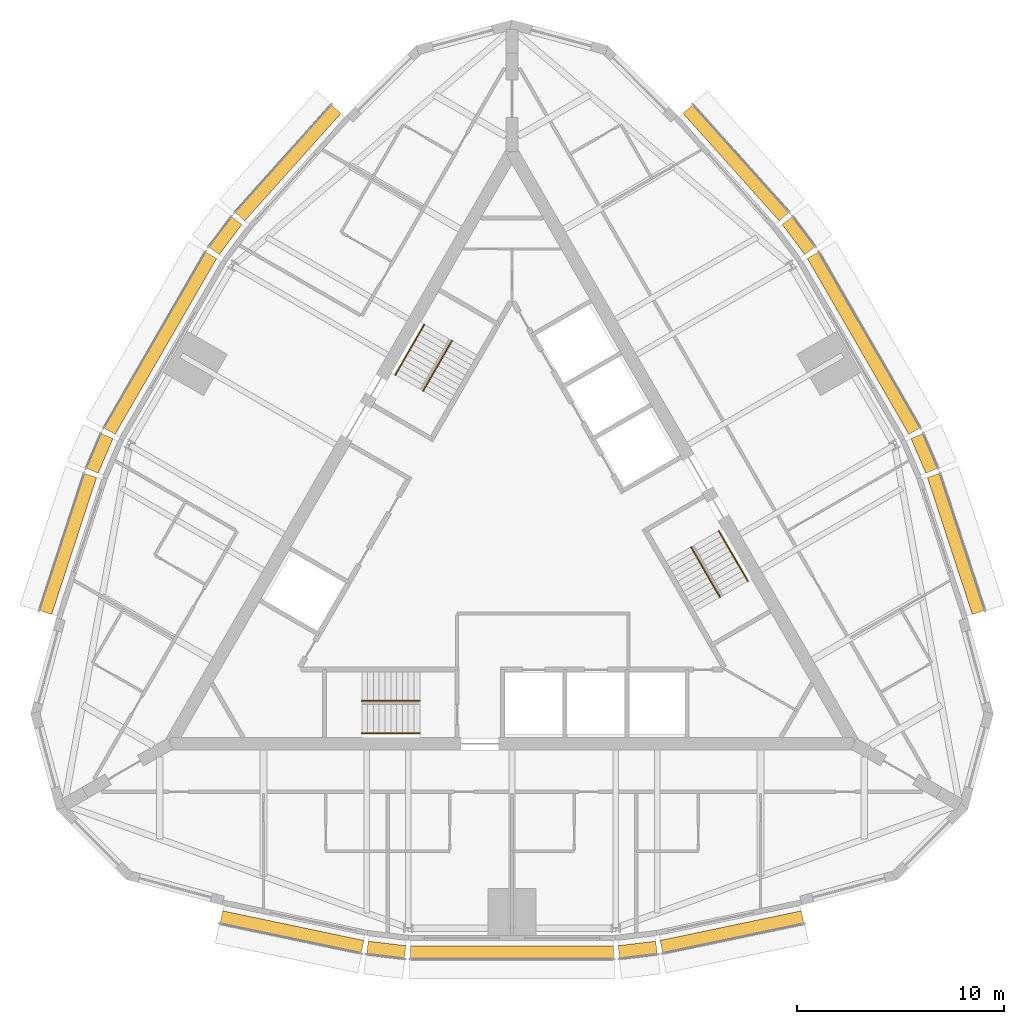
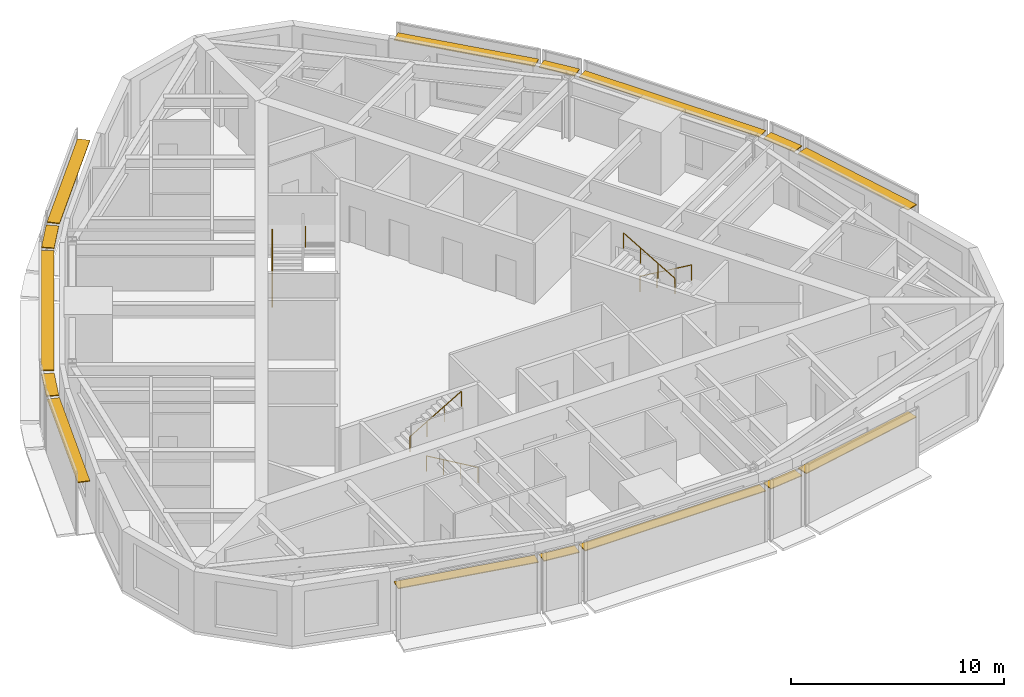
# One storey, part 12 of 12: 15 shading devices, 6 railings.
"""IFC4 building model written with IfcOpenShell, lengths in metres."""

from ifc_helpers import new_model, si_unit, direction, frame, origin, origin_2d, place, context, subcontext, project, spatial, rectangle, circle, extrude, material, type_object, element, save


model = new_model("IFC4")

# Units and contexts
model_context = context("Model", 3, precision=1e-05, world=origin(), true_north=direction((0.0, 1.0)))
body_context = subcontext(model_context, "Body", "Model", "MODEL_VIEW")
ifc_project = project(units=[si_unit("LENGTHUNIT", "METRE"), si_unit("AREAUNIT", "SQUARE_METRE"), si_unit("VOLUMEUNIT", "CUBIC_METRE"), si_unit("PLANEANGLEUNIT", "RADIAN"), si_unit("MASSUNIT", "GRAM", prefix="KILO")], contexts=[model_context])

# Site, building, storey
site_placement = place(None, origin())
site = spatial("IfcSite", under=ifc_project, at=site_placement, CompositionType="ELEMENT")
building_placement = place(site_placement, origin())
building = spatial("IfcBuilding", under=site, at=building_placement, Name="Trikona Tower", CompositionType="ELEMENT")
storey_placement = place(building_placement, frame((0.0, 0.0, 268.10009765625)))
storey = spatial("IfcBuildingStorey", under=building, at=storey_placement, Name="L71", CompositionType="ELEMENT", Elevation=268.10009765625)

# Shading devices
ifc_material_1 = material(Name="Aluminium louvre blade, pale anodised", Category="aluminium")
shading_device_type = type_object("IfcShadingDeviceType", Name="Cavity louvre 600", PredefinedType="USERDEFINED", material=ifc_material_1)
shading_device_1_placement = place(storey_placement, frame((-10.6162109375, -18.6083984375, 2.97509765625), z_axis=(0.0, 0.0, 1.0), x_axis=(0.97865342171, -0.205517590916, 0.0)))
element("IfcShadingDevice", 1, at=shading_device_1_placement, inside=storey, type_object=shading_device_type, Name="Cavity louvre L71-00", ObjectType="LOUVRE", PredefinedType="USERDEFINED", context=body_context, shape_type="SweptSolid", body=[
    extrude(rectangle(XDim=6.962646484375, YDim=0.60009765625, at=origin_2d()), origin(), (0.0, 0.0, 1.0), 0.050048828125),
])
shading_device_2_placement = place(storey_placement, frame((-6.0673828125, -19.471435546875, 2.97509765625), z_axis=(0.0, 0.0, 1.0), x_axis=(0.992876783199, -0.11914568135, 0.0)))
element("IfcShadingDevice", 2, at=shading_device_2_placement, inside=storey, type_object=shading_device_type, Name="Cavity louvre L71-01", ObjectType="LOUVRE", PredefinedType="USERDEFINED", context=body_context, shape_type="SweptSolid", body=[
    extrude(rectangle(XDim=1.82421875, YDim=0.60009765625, at=origin_2d()), origin(), (0.0, 0.0, 1.0), 0.050048828125),
])
shading_device_3_placement = place(storey_placement, frame((0.0, -19.595458984375, 2.97509765625), z_axis=(0.0, 0.0, 1.0), x_axis=(1.0, 0.0, 0.0)))
element("IfcShadingDevice", 3, at=shading_device_3_placement, inside=storey, type_object=shading_device_type, Name="Cavity louvre L71-02", ObjectType="LOUVRE", PredefinedType="USERDEFINED", context=body_context, shape_type="SweptSolid", body=[
    extrude(rectangle(XDim=9.81005859375, YDim=0.60009765625, at=origin_2d()), origin(), (0.0, 0.0, 1.0), 0.050048828125),
])
shading_device_4_placement = place(storey_placement, frame((6.0673828125, -19.471435546875, 2.97509765625), z_axis=(0.0, 0.0, 1.0), x_axis=(0.992876783199, 0.11914568135, 0.0)))
element("IfcShadingDevice", 4, at=shading_device_4_placement, inside=storey, type_object=shading_device_type, Name="Cavity louvre L71-03", ObjectType="LOUVRE", PredefinedType="USERDEFINED", context=body_context, shape_type="SweptSolid", body=[
    extrude(rectangle(XDim=1.82421875, YDim=0.60009765625, at=origin_2d()), origin(), (0.0, 0.0, 1.0), 0.050048828125),
])
for number, where, z_axis, x_axis, name in (
    (5, (10.6162109375, -18.6083984375, 2.97509765625), (0.0, 0.0, 1.0), (0.97865342171, 0.205517590916, 0.0), "Cavity louvre L71-04"),
    (6, (21.423583984375, 0.1103515625, 2.97509765625), (0.0, 0.0, 1.0), (-0.311336621861, 0.950299693722, 0.0), "Cavity louvre L71-09"),
):
    element("IfcShadingDevice", number, at=place(storey_placement, frame(where, z_axis=z_axis, x_axis=x_axis)), inside=storey, type_object=shading_device_type, Name=name, ObjectType="LOUVRE", PredefinedType="USERDEFINED", context=body_context, shape_type="SweptSolid", body=[
        extrude(rectangle(XDim=6.962646484375, YDim=0.60009765625, at=origin_2d()), origin(), (0.0, 0.0, 1.0), 0.050048828125),
    ])
shading_device_5_placement = place(storey_placement, frame((19.896484375, 4.481201171875, 2.97509765625), z_axis=(0.0, 0.0, 1.0), x_axis=(-0.39328408933, 0.919417002823, 0.0)))
element("IfcShadingDevice", 7, at=shading_device_5_placement, inside=storey, type_object=shading_device_type, Name="Cavity louvre L71-10", ObjectType="LOUVRE", PredefinedType="USERDEFINED", context=body_context, shape_type="SweptSolid", body=[
    extrude(rectangle(XDim=1.82421875, YDim=0.60009765625, at=origin_2d()), origin(), (0.0, 0.0, 1.0), 0.050048828125),
])
shading_device_6_placement = place(storey_placement, frame((16.97021484375, 9.797607421875, 2.97509765625), z_axis=(0.0, 0.0, 1.0), x_axis=(-0.4999984885, 0.866026276448, 0.0)))
element("IfcShadingDevice", 8, at=shading_device_6_placement, inside=storey, type_object=shading_device_type, Name="Cavity louvre L71-11", ObjectType="LOUVRE", PredefinedType="USERDEFINED", context=body_context, shape_type="SweptSolid", body=[
    extrude(rectangle(XDim=9.81005859375, YDim=0.60009765625, at=origin_2d()), origin(), (0.0, 0.0, 1.0), 0.050048828125),
])
shading_device_7_placement = place(storey_placement, frame((13.8291015625, 14.990234375, 2.97509765625), z_axis=(0.0, 0.0, 1.0), x_axis=(-0.599618784879, 0.800285769472, 0.0)))
element("IfcShadingDevice", 9, at=shading_device_7_placement, inside=storey, type_object=shading_device_type, Name="Cavity louvre L71-12", ObjectType="LOUVRE", PredefinedType="USERDEFINED", context=body_context, shape_type="SweptSolid", body=[
    extrude(rectangle(XDim=1.82421875, YDim=0.60009765625, at=origin_2d()), origin(), (0.0, 0.0, 1.0), 0.050048828125),
])
for number, where, z_axis, x_axis, name in (
    (10, (10.807373046875, 18.498046875, 2.97509765625), (0.0, 0.0, 1.0), (-0.667311465398, 0.744778764566, 0.0), "Cavity louvre L71-13"),
    (11, (-10.807373046875, 18.498046875, 2.97509765625), (0.0, 0.0, 1.0), (-0.667311465398, -0.744778764566, 0.0), "Cavity louvre L71-18"),
):
    element("IfcShadingDevice", number, at=place(storey_placement, frame(where, z_axis=z_axis, x_axis=x_axis)), inside=storey, type_object=shading_device_type, Name=name, ObjectType="LOUVRE", PredefinedType="USERDEFINED", context=body_context, shape_type="SweptSolid", body=[
        extrude(rectangle(XDim=6.962646484375, YDim=0.60009765625, at=origin_2d()), origin(), (0.0, 0.0, 1.0), 0.050048828125),
    ])
shading_device_8_placement = place(storey_placement, frame((-13.8291015625, 14.990234375, 2.97509765625), z_axis=(0.0, 0.0, 1.0), x_axis=(-0.599618784879, -0.800285769472, 0.0)))
element("IfcShadingDevice", 12, at=shading_device_8_placement, inside=storey, type_object=shading_device_type, Name="Cavity louvre L71-19", ObjectType="LOUVRE", PredefinedType="USERDEFINED", context=body_context, shape_type="SweptSolid", body=[
    extrude(rectangle(XDim=1.82421875, YDim=0.60009765625, at=origin_2d()), origin(), (0.0, 0.0, 1.0), 0.050048828125),
])
shading_device_9_placement = place(storey_placement, frame((-16.97021484375, 9.797607421875, 2.97509765625), z_axis=(0.0, 0.0, 1.0), x_axis=(-0.4999984885, -0.866026276448, 0.0)))
element("IfcShadingDevice", 13, at=shading_device_9_placement, inside=storey, type_object=shading_device_type, Name="Cavity louvre L71-20", ObjectType="LOUVRE", PredefinedType="USERDEFINED", context=body_context, shape_type="SweptSolid", body=[
    extrude(rectangle(XDim=9.81005859375, YDim=0.60009765625, at=origin_2d()), origin(), (0.0, 0.0, 1.0), 0.050048828125),
])
shading_device_10_placement = place(storey_placement, frame((-19.896484375, 4.481201171875, 2.97509765625), z_axis=(0.0, 0.0, 1.0), x_axis=(-0.39328408933, -0.919417002823, 0.0)))
element("IfcShadingDevice", 14, at=shading_device_10_placement, inside=storey, type_object=shading_device_type, Name="Cavity louvre L71-21", ObjectType="LOUVRE", PredefinedType="USERDEFINED", context=body_context, shape_type="SweptSolid", body=[
    extrude(rectangle(XDim=1.82421875, YDim=0.60009765625, at=origin_2d()), origin(), (0.0, 0.0, 1.0), 0.050048828125),
])
shading_device_11_placement = place(storey_placement, frame((-21.423583984375, 0.1103515625, 2.97509765625), z_axis=(0.0, 0.0, 1.0), x_axis=(-0.311336621861, -0.950299693722, 0.0)))
element("IfcShadingDevice", 15, at=shading_device_11_placement, inside=storey, type_object=shading_device_type, Name="Cavity louvre L71-22", ObjectType="LOUVRE", PredefinedType="USERDEFINED", context=body_context, shape_type="SweptSolid", body=[
    extrude(rectangle(XDim=6.962646484375, YDim=0.60009765625, at=origin_2d()), origin(), (0.0, 0.0, 1.0), 0.050048828125),
])

# Railings
ifc_material_2 = material(Name="Stainless steel handrail", Category="steel")
railing_type = type_object("IfcRailingType", Name="Stair handrail", PredefinedType="HANDRAIL", material=ifc_material_2)
railing_1_placement = place(storey_placement, frame((-4.449951171875, -9.016357421875, 0.16357421875)))
element("IfcRailing", 16, at=railing_1_placement, inside=storey, type_object=railing_type, Name="Stair handrail A L71 1", PredefinedType="HANDRAIL", context=body_context, shape_type="SweptSolid", body=[
    extrude(circle(Radius=0.02392578125, at=origin_2d()), frame((0.0, 0.0, 0.8759765625), z_axis=(-0.863393664356, 0.0, 0.504530851732), x_axis=(0.0, -1.0, 0.0)), (0.0, 0.0, 1.0), 3.2431640625),
    extrude(circle(Radius=0.02099609375, at=origin_2d()), origin(), (0.0, 0.0, 1.0), 0.851806640625),
    extrude(circle(Radius=0.02099609375, at=origin_2d()), frame((-0.933349609375, 0.0, 0.54541015625)), (0.0, 0.0, 1.0), 0.851806640625),
    extrude(circle(Radius=0.02099609375, at=origin_2d()), frame((-1.86669921875, 0.0, 1.0908203125)), (0.0, 0.0, 1.0), 0.851806640625),
    extrude(circle(Radius=0.02099609375, at=origin_2d()), frame((-2.800048828125, 0.0, 1.63623046875)), (0.0, 0.0, 1.0), 0.851806640625),
])
railing_2_placement = place(storey_placement, frame((-7.25, -7.46630859375, 1.963623046875)))
element("IfcRailing", 17, at=railing_2_placement, inside=storey, type_object=railing_type, Name="Stair handrail A L71 2", PredefinedType="HANDRAIL", context=body_context, shape_type="SweptSolid", body=[
    extrude(circle(Radius=0.02392578125, at=origin_2d()), frame((0.0, 0.0, 0.8759765625), z_axis=(0.863393664356, 0.0, 0.504530851732), x_axis=(0.0, 1.0, 0.0)), (0.0, 0.0, 1.0), 3.2431640625),
    extrude(circle(Radius=0.02099609375, at=origin_2d()), origin(), (0.0, 0.0, 1.0), 0.851806640625),
    extrude(circle(Radius=0.02099609375, at=origin_2d()), frame((0.933349609375, 0.0, 0.54541015625)), (0.0, 0.0, 1.0), 0.851806640625),
    extrude(circle(Radius=0.02099609375, at=origin_2d()), frame((1.86669921875, 0.0, 1.0908203125)), (0.0, 0.0, 1.0), 0.851806640625),
    extrude(circle(Radius=0.02099609375, at=origin_2d()), frame((2.800048828125, 0.0, 1.63623046875)), (0.0, 0.0, 1.0), 0.851806640625),
])
railing_3_placement = place(storey_placement, frame((9.9833984375, 0.740966796875, 0.16357421875)))
element("IfcRailing", 18, at=railing_3_placement, inside=storey, type_object=railing_type, Name="Stair handrail B L71 1", PredefinedType="HANDRAIL", context=body_context, shape_type="SweptSolid", body=[
    extrude(circle(Radius=0.02392578125, at=origin_2d()), frame((0.0, 0.0, 0.8759765625), z_axis=(0.43165272891, -0.747751404999, 0.504523297725), x_axis=(0.866056369097, 0.49994636267, 0.0)), (0.0, 0.0, 1.0), 3.2431640625),
    extrude(circle(Radius=0.02099609375, at=origin_2d()), origin(), (0.0, 0.0, 1.0), 0.851806640625),
    extrude(circle(Radius=0.02099609375, at=origin_2d()), frame((0.466552734375, -0.808349609375, 0.54541015625)), (0.0, 0.0, 1.0), 0.851806640625),
    extrude(circle(Radius=0.02099609375, at=origin_2d()), frame((0.933349609375, -1.61669921875, 1.0908203125)), (0.0, 0.0, 1.0), 0.851806640625),
    extrude(circle(Radius=0.02099609375, at=origin_2d()), frame((1.39990234375, -2.425048828125, 1.63623046875)), (0.0, 0.0, 1.0), 0.851806640625),
])
railing_4_placement = place(storey_placement, frame((10.041015625, -2.458984375, 1.963623046875)))
element("IfcRailing", 19, at=railing_4_placement, inside=storey, type_object=railing_type, Name="Stair handrail B L71 2", PredefinedType="HANDRAIL", context=body_context, shape_type="SweptSolid", body=[
    extrude(circle(Radius=0.02392578125, at=origin_2d()), frame((0.0, 0.0, 0.8759765625), z_axis=(-0.43165272891, 0.747751404999, 0.504523297725), x_axis=(-0.866056369097, -0.49994636267, 0.0)), (0.0, 0.0, 1.0), 3.2431640625),
    extrude(circle(Radius=0.02099609375, at=origin_2d()), origin(), (0.0, 0.0, 1.0), 0.851806640625),
    extrude(circle(Radius=0.02099609375, at=origin_2d()), frame((-0.466552734375, 0.808349609375, 0.54541015625)), (0.0, 0.0, 1.0), 0.851806640625),
    extrude(circle(Radius=0.02099609375, at=origin_2d()), frame((-0.933349609375, 1.61669921875, 1.0908203125)), (0.0, 0.0, 1.0), 0.851806640625),
    extrude(circle(Radius=0.02099609375, at=origin_2d()), frame((-1.39990234375, 2.425048828125, 1.63623046875)), (0.0, 0.0, 1.0), 0.851806640625),
])
railing_5_placement = place(storey_placement, frame((-5.63330078125, 8.275390625, 0.16357421875)))
element("IfcRailing", 20, at=railing_5_placement, inside=storey, type_object=railing_type, Name="Stair handrail C L71 1", PredefinedType="HANDRAIL", context=body_context, shape_type="SweptSolid", body=[
    extrude(circle(Radius=0.02392578125, at=origin_2d()), frame((0.0, 0.0, 0.8759765625), z_axis=(0.431677027627, 0.74771821388, 0.504551698492), x_axis=(-0.866034573852, 0.49998411664, 0.0)), (0.0, 0.0, 1.0), 3.242919921875),
    extrude(circle(Radius=0.02099609375, at=origin_2d()), origin(), (0.0, 0.0, 1.0), 0.851806640625),
    extrude(circle(Radius=0.02099609375, at=origin_2d()), frame((0.466552734375, 0.808349609375, 0.54541015625)), (0.0, 0.0, 1.0), 0.851806640625),
    extrude(circle(Radius=0.02099609375, at=origin_2d()), frame((0.933349609375, 1.616455078125, 1.0908203125)), (0.0, 0.0, 1.0), 0.851806640625),
    extrude(circle(Radius=0.02099609375, at=origin_2d()), frame((1.39990234375, 2.4248046875, 1.63623046875)), (0.0, 0.0, 1.0), 0.851806640625),
])
railing_6_placement = place(storey_placement, frame((-2.89111328125, 9.92529296875, 1.963623046875)))
element("IfcRailing", 21, at=railing_6_placement, inside=storey, type_object=railing_type, Name="Stair handrail C L71 2", PredefinedType="HANDRAIL", context=body_context, shape_type="SweptSolid", body=[
    extrude(circle(Radius=0.02392578125, at=origin_2d()), frame((0.0, 0.0, 0.8759765625), z_axis=(-0.43165272891, -0.747751404999, 0.504523297725), x_axis=(0.866056369097, -0.49994636267, 0.0)), (0.0, 0.0, 1.0), 3.2431640625),
    extrude(circle(Radius=0.02099609375, at=origin_2d()), origin(), (0.0, 0.0, 1.0), 0.851806640625),
    extrude(circle(Radius=0.02099609375, at=origin_2d()), frame((-0.466552734375, -0.808349609375, 0.54541015625)), (0.0, 0.0, 1.0), 0.851806640625),
    extrude(circle(Radius=0.02099609375, at=origin_2d()), frame((-0.933349609375, -1.61669921875, 1.0908203125)), (0.0, 0.0, 1.0), 0.851806640625),
    extrude(circle(Radius=0.02099609375, at=origin_2d()), frame((-1.39990234375, -2.425048828125, 1.63623046875)), (0.0, 0.0, 1.0), 0.851806640625),
])

save(model, "model.ifc")
